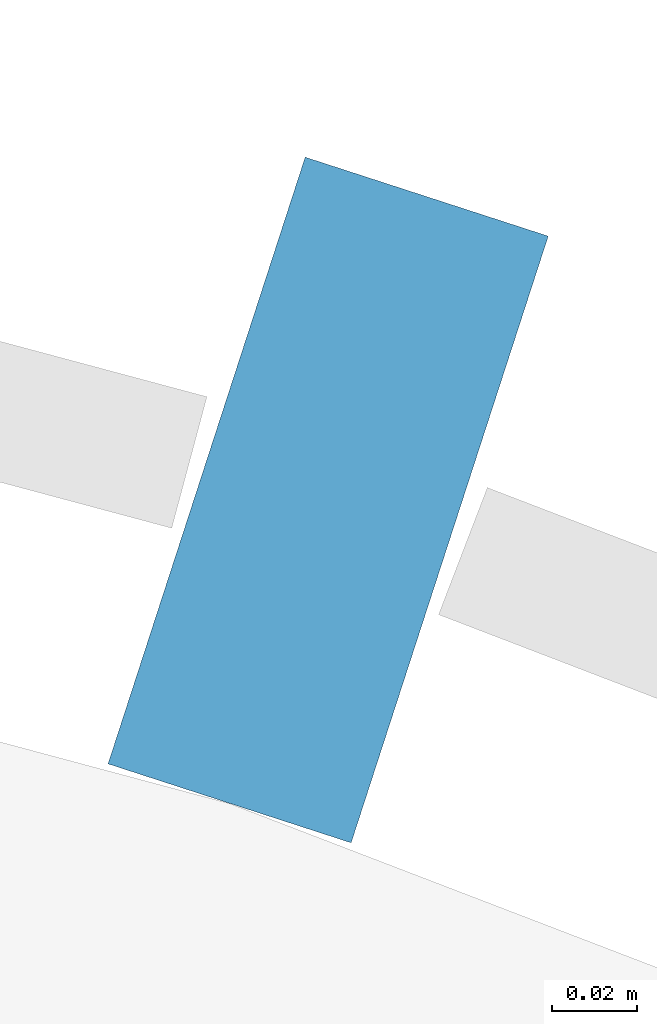
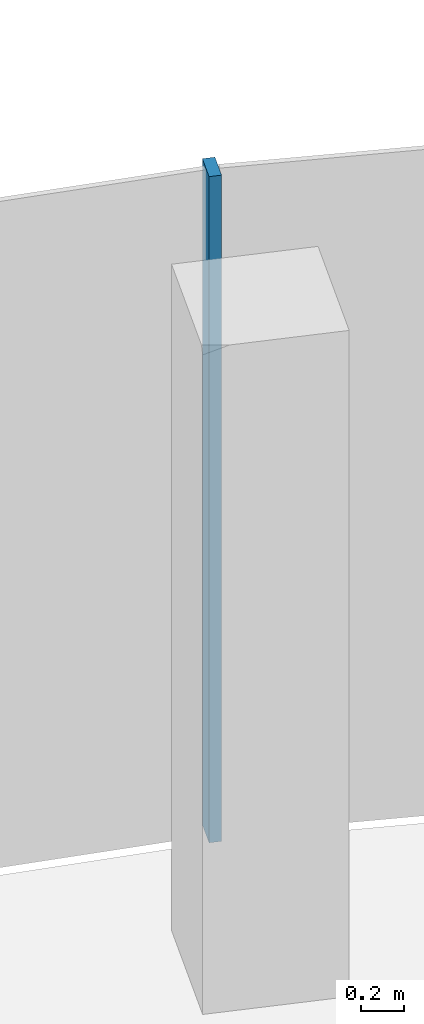
# One storey, part 10 of 18: 1 member, 1 element without a shape of its own.
"""IFC4 building model written with IfcOpenShell, lengths in metres."""

import ifcopenshell
import ifcopenshell.guid

model = None  # the IFC model being written
_history = None  # IfcOwnerHistory: only IFC2X3 demands one
_inside = {}  # id of a spatial element -> (the spatial element, [elements in it])
_under = {}  # id of a project, library or spatial element -> (it, [spatial elements below it])
_declared = {}  # id of a project -> (the project, [libraries it declares])
_typed = {}  # id of a type object -> (the type object, [elements of that type])
_made_of = {}  # id of a material, layer set ... -> (it, [elements and type objects made of it])


def new_model(schema):
    """Start an empty IFC model of exactly this schema.

    Asked for "IFC4X3", IfcOpenShell would pick the latest addendum, in which some entities
    have other attributes; the version numbers below select the first issue.
    IFC2X3 requires an IfcOwnerHistory on every rooted entity: one is made here for all.
    """
    global model, _history
    if schema == "IFC4X3":
        model = ifcopenshell.file(schema_version=(4, 3, 0, 0))
    else:
        model = ifcopenshell.file(schema=schema)
    _inside.clear()
    _under.clear()
    _declared.clear()
    _typed.clear()
    _made_of.clear()
    _history = None
    if model.schema == "IFC2X3":
        org = make("IfcOrganization", Name="unknown")
        user = make(
            "IfcPersonAndOrganization",
            ThePerson=make("IfcPerson", FamilyName="unknown"),
            TheOrganization=org,
        )
        app = make(
            "IfcApplication",
            ApplicationDeveloper=org,
            Version="unknown",
            ApplicationFullName="unknown",
            ApplicationIdentifier="unknown",
        )
        _history = make(
            "IfcOwnerHistory",
            OwningUser=user,
            OwningApplication=app,
            ChangeAction="ADDED",
            CreationDate=0,
        )
    return model


def make(cls, **values):
    """One entity of the class cls with the attributes given. An attribute that is None is left unset."""
    return model.create_entity(
        cls, **{name: value for name, value in values.items() if value is not None}
    )


def rooted(cls, **values):
    """An entity with a GlobalId (a new one), such as an element, a storey or a relation."""
    return make(cls, GlobalId=ifcopenshell.guid.new(), OwnerHistory=_history, **values)


def si_unit(unit_type, name, prefix=None):
    """IfcSIUnit, for example si_unit("LENGTHUNIT", "METRE", prefix="MILLI")."""
    return make("IfcSIUnit", UnitType=unit_type, Prefix=prefix, Name=name)


def assignment(units):
    """IfcUnitAssignment: the units of a project."""
    return None if units is None else make("IfcUnitAssignment", Units=units)


def point(xyz):
    """IfcCartesianPoint."""
    return None if xyz is None else make("IfcCartesianPoint", Coordinates=xyz)


def direction(xyz):
    """IfcDirection."""
    return None if xyz is None else make("IfcDirection", DirectionRatios=xyz)


def frame(location, z_axis=None, x_axis=None):
    """IfcAxis2Placement3D, a coordinate frame: its origin and axes. An axis left out is left unset."""
    return make(
        "IfcAxis2Placement3D",
        Location=point(location),
        Axis=direction(z_axis),
        RefDirection=direction(x_axis),
    )


def frame_2d(location, x_axis=None):
    """IfcAxis2Placement2D, a coordinate frame in the plane: its origin and x axis."""
    return make(
        "IfcAxis2Placement2D", Location=point(location), RefDirection=direction(x_axis)
    )


def origin():
    """The frame at (0, 0, 0) with its axes left unset."""
    return frame((0.0, 0.0, 0.0))


def origin_2d():
    """The frame at (0, 0) in the plane with its x axis left unset."""
    return frame_2d((0.0, 0.0))


def place(relative_to, where):
    """IfcLocalPlacement: puts the frame where relative to a parent placement (None: the world)."""
    return make(
        "IfcLocalPlacement", PlacementRelTo=relative_to, RelativePlacement=where
    )


def context(
    kind, dimensions, precision=None, world=None, true_north=None, identifier=None
):
    """IfcGeometricRepresentationContext, for example the 3D "Model" context."""
    return make(
        "IfcGeometricRepresentationContext",
        ContextIdentifier=identifier,
        ContextType=kind,
        CoordinateSpaceDimension=dimensions,
        Precision=precision,
        WorldCoordinateSystem=world,
        TrueNorth=true_north,
    )


def subcontext(parent, identifier, kind, view, scale=None):
    """IfcGeometricRepresentationSubContext, for example "Body" below "Model"."""
    return make(
        "IfcGeometricRepresentationSubContext",
        ContextIdentifier=identifier,
        ContextType=kind,
        ParentContext=parent,
        TargetScale=scale,
        TargetView=view,
    )


def project(units=None, contexts=None):
    """IfcProject with its units and contexts."""
    return rooted(
        "IfcProject",
        Name="project",
        RepresentationContexts=contexts,
        UnitsInContext=assignment(units),
    )


def spatial(cls, under=None, at=None, **own):
    """A site, building, storey or space (cls), placed at a placement, below another one or the project."""
    s = rooted(cls, ObjectPlacement=at, **own)
    if under is not None:
        _under.setdefault(under.id(), (under, []))[1].append(s)
    return s


def profile(cls, at=None, kind="AREA", **sizes):
    """A parametric profile (cls). Its sizes go by their IFC names, for example OverallWidth=200.0."""
    return make(cls, ProfileType=kind, Position=at, **sizes)


def rectangle(**sizes):
    """IfcRectangleProfileDef."""
    return profile("IfcRectangleProfileDef", **sizes)


def extrude(swept, where, along, depth):
    """IfcExtrudedAreaSolid: the profile swept, set in the frame where, extruded along a direction by depth."""
    return make(
        "IfcExtrudedAreaSolid",
        SweptArea=swept,
        Position=where,
        ExtrudedDirection=direction(along),
        Depth=depth,
    )


def shape(context_of_items, identifier, shape_type, items):
    """IfcShapeRepresentation: the items that make up one representation, for example the "Body"."""
    return make(
        "IfcShapeRepresentation",
        ContextOfItems=context_of_items,
        RepresentationIdentifier=identifier,
        RepresentationType=shape_type,
        Items=items,
    )


def material(Name=None, Category=None):
    """IfcMaterial."""
    return make("IfcMaterial", Name=Name, Category=Category)


def layer(
    of_material, thickness, ventilated=None, Name=None, Category=None, Priority=None
):
    """IfcMaterialLayer: one layer of a wall or slab, of a material (None: an air gap)."""
    return make(
        "IfcMaterialLayer",
        Material=of_material,
        LayerThickness=thickness,
        IsVentilated=ventilated,
        Name=Name,
        Category=Category,
        Priority=Priority,
    )


def layer_set(layers, Name=None):
    """IfcMaterialLayerSet."""
    return make("IfcMaterialLayerSet", MaterialLayers=layers, LayerSetName=Name)


def material_profile(
    of_material, cross_section, Name=None, Category=None, Priority=None
):
    """IfcMaterialProfile: a cross section and its material."""
    return make(
        "IfcMaterialProfile",
        Name=Name,
        Material=of_material,
        Profile=cross_section,
        Priority=Priority,
        Category=Category,
    )


def profile_set(profiles, Name=None, composite=None):
    """IfcMaterialProfileSet."""
    return make(
        "IfcMaterialProfileSet",
        Name=Name,
        MaterialProfiles=profiles,
        CompositeProfile=composite,
    )


def made_of(thing, what):
    """Note that an element or type object is made of a material, layer set ...; save() writes the relation."""
    if what is not None:
        _made_of.setdefault(what.id(), (what, []))[1].append(thing)
    return thing


def type_object(cls, material=None, **own):
    """A type object (cls), such as IfcWallType, which elements share."""
    return made_of(rooted(cls, **own), material)


def element(
    cls,
    number,
    at=None,
    inside=None,
    cuts=None,
    type_object=None,
    material=None,
    context=None,
    identifier="Body",
    shape_type=None,
    held_by="IfcProductDefinitionShape",
    body=None,
    shapes=None,
    **own,
):
    """One element of the class cls, such as IfcWall. Its Tag is "e" and its number.

    at: its placement. inside: the storey or other place that contains it. cuts: it is an
    opening in that element (IfcRelVoidsElement). A single representation is given by context,
    identifier, shape_type and body (its items); several are given by shapes. held_by: the class
    of the entity that holds the representations. save() writes the other relations.
    """
    e = rooted(cls, Tag="e%d" % number, ObjectPlacement=at, **own)
    if body is not None:
        shapes = [shape(context, identifier, shape_type, body)]
    if shapes is not None:
        e.Representation = make(held_by, Representations=shapes)
    if inside is not None:
        _inside.setdefault(inside.id(), (inside, []))[1].append(e)
    if cuts is not None:
        rooted(
            "IfcRelVoidsElement", RelatingBuildingElement=cuts, RelatedOpeningElement=e
        )
    if type_object is not None:
        _typed.setdefault(type_object.id(), (type_object, []))[1].append(e)
    return made_of(e, material)


def aggregate(whole, parts):
    """IfcRelAggregates: a whole, such as a stair, and the parts it consists of."""
    return rooted("IfcRelAggregates", RelatingObject=whole, RelatedObjects=parts)


def save(model, path):
    """Write the relations noted so far, then the file.

    IfcRelAggregates (storeys below a building ...), IfcRelContainedInSpatialStructure (elements
    in a storey), IfcRelDefinesByType, IfcRelAssociatesMaterial and IfcRelDeclares: one each for
    every whole, place, type object, material and project.
    """
    for whole, parts in _under.values():
        aggregate(whole, parts)
    for where, things in _inside.values():
        rooted(
            "IfcRelContainedInSpatialStructure",
            RelatedElements=things,
            RelatingStructure=where,
        )
    for kind, things in _typed.values():
        rooted("IfcRelDefinesByType", RelatedObjects=things, RelatingType=kind)
    for what, things in _made_of.values():
        rooted("IfcRelAssociatesMaterial", RelatedObjects=things, RelatingMaterial=what)
    for by, libraries in _declared.values():
        rooted("IfcRelDeclares", RelatingContext=by, RelatedDefinitions=libraries)
    model.write(path)


model = new_model("IFC4")

# Units and contexts
model_context = context("Model", 3, precision=1e-05, world=origin(), true_north=direction((0.0, 1.0)))
body_context = subcontext(model_context, "Body", "Model", "MODEL_VIEW")
ifc_project = project(units=[si_unit("LENGTHUNIT", "METRE"), si_unit("AREAUNIT", "SQUARE_METRE"), si_unit("VOLUMEUNIT", "CUBIC_METRE"), si_unit("PLANEANGLEUNIT", "RADIAN"), si_unit("MASSUNIT", "GRAM", prefix="KILO")], contexts=[model_context])

# Site, building, storey
site_placement = place(None, origin())
site = spatial("IfcSite", under=ifc_project, at=site_placement, CompositionType="ELEMENT")
building_placement = place(site_placement, origin())
building = spatial("IfcBuilding", under=site, at=building_placement, Name="Stone Belt Terrace Tower", CompositionType="ELEMENT")
storey_placement = place(building_placement, frame((0.0, 0.0, 265.60009765625)))
storey = spatial("IfcBuildingStorey", under=building, at=storey_placement, Name="L64", CompositionType="ELEMENT", Elevation=265.60009765625)

# Curtain wall, member
ifc_material = material(Name="Aluminium 6063-T6 anodised frame", Category="aluminium")
ifc_layer = layer(ifc_material, 0.14990234375)
ifc_layer_set = layer_set([ifc_layer], Name="CW-A unitised convex-face curtain wall")
curtain_wall_type = type_object("IfcCurtainWallType", Name="CW-A unitised convex-face curtain wall", PredefinedType="NOTDEFINED", material=ifc_layer_set)
curtain_wall_placement = place(storey_placement, origin())
curtain_wall = element("IfcCurtainWall", 1, at=curtain_wall_placement, inside=storey, type_object=curtain_wall_type, Name="CW-A convex face L64", PredefinedType="NOTDEFINED")
ifc_material_profile = material_profile(ifc_material, rectangle(XDim=0.14990234375, YDim=0.06005859375, at=origin_2d()), Name="Aluminium 6063-T6 60x150")
ifc_profile_set = profile_set([ifc_material_profile], Name="Aluminium 6063-T6 anodised frame")
member_type = type_object("IfcMemberType", Name="CW-A mullion 60 x 150", PredefinedType="MULLION", material=ifc_profile_set)
member_placement = place(storey_placement, frame((20.57275390625, 63.316650390625, 0.0), z_axis=(0.0, 0.0, 1.0), x_axis=(-0.309016994375, -0.951056516295, 0.0)))
member = element("IfcMember", 2, at=member_placement, type_object=member_type, Name="CW-A mullion 5", PredefinedType="MULLION", context=body_context, shape_type="SweptSolid", body=[
    extrude(rectangle(XDim=0.14990234375, YDim=0.06005859375, at=origin_2d()), origin(), (0.0, 0.0, 1.0), 3.7998046875),
])
aggregate(curtain_wall, [member])

save(model, "model.ifc")
